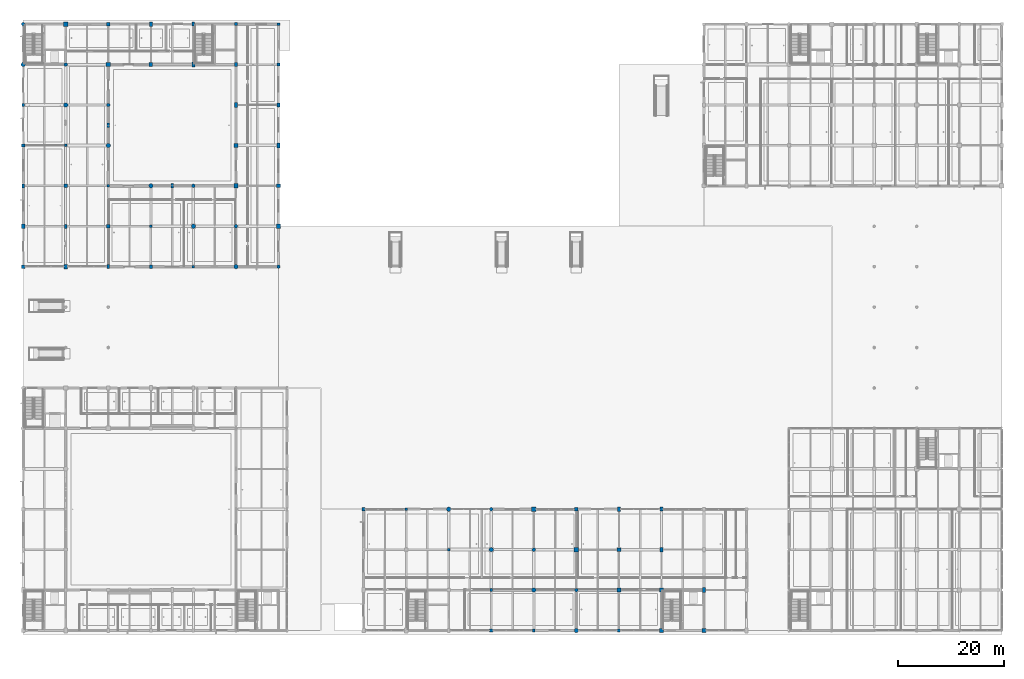
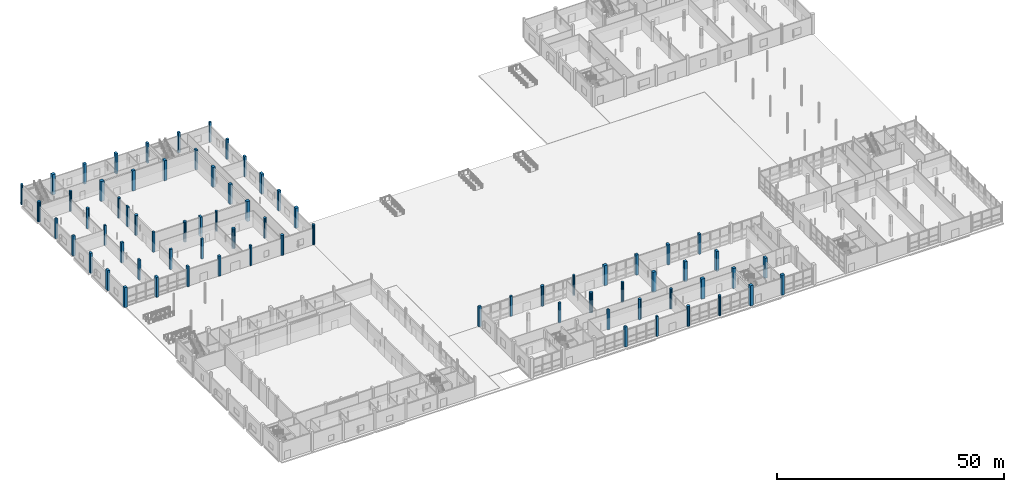
# One storey, part 5 of 126: 73 columns.
"""IFC4 building model written with IfcOpenShell, lengths in metres."""

from ifc_helpers import new_model, si_unit, direction, frame, origin, origin_2d, place, context, subcontext, project, spatial, rectangle, circle, extrude, material, material_profile, profile_set, type_object, element, save


model = new_model("IFC4")

# Units and contexts
model_context = context("Model", 3, precision=1e-05, world=origin(), true_north=direction((0.0, 1.0)))
body_context = subcontext(model_context, "Body", "Model", "MODEL_VIEW")
ifc_project = project(units=[si_unit("LENGTHUNIT", "METRE"), si_unit("AREAUNIT", "SQUARE_METRE"), si_unit("VOLUMEUNIT", "CUBIC_METRE"), si_unit("PLANEANGLEUNIT", "RADIAN"), si_unit("MASSUNIT", "GRAM", prefix="KILO")], contexts=[model_context])

# Site, building, storey
site_placement = place(None, origin())
site = spatial("IfcSite", under=ifc_project, at=site_placement, CompositionType="ELEMENT")
building_placement = place(site_placement, origin())
building = spatial("IfcBuilding", under=site, at=building_placement, Name="Khelvaren Railside Concert Hall", CompositionType="ELEMENT")
storey_placement = place(building_placement, origin())
storey = spatial("IfcBuildingStorey", under=building, at=storey_placement, Name="L00", CompositionType="ELEMENT", Elevation=0.0)

# Columns
ifc_material = material(Name="Concrete C45/55", Category="concrete")
ifc_material_profile_1 = material_profile(ifc_material, rectangle(XDim=0.60009765625, YDim=0.60009765625, at=origin_2d()), Name="RC 600x600")
ifc_profile_set_1 = profile_set([ifc_material_profile_1], Name="Concrete C45/55")
column_type_1 = type_object("IfcColumnType", Name="COL11", PredefinedType="COLUMN", material=ifc_profile_set_1)
for number, where, z_axis, x_axis, name in (
    (1, (64.0, 22.800048828125, 0.0), (0.0, 0.0, 1.0), (1.0, 0.0, 0.0), "V3 L00 Column (64.0,22.8)"),
    (2, (88.0, 0.0, 0.0), (0.0, 0.0, 1.0), (1.0, 0.0, 0.0), "V3 L00 Column (88.0,0.0)"),
    (3, (0.0, 91.199951171875, 0.0), (0.0, 0.0, 1.0), (1.0, 0.0, 0.0), "V4 L00 Column (0.0,91.2)"),
    (4, (24.0, 68.39990234375, 0.0), (0.0, 0.0, 1.0), (1.0, 0.0, 0.0), "V4 L00 Column (24.0,68.4)"),
    (5, (40.0, 114.0, 0.0), (0.0, 0.0, 1.0), (1.0, 0.0, 0.0), "V4 L00 Column (40.0,114.0)"),
    (6, (48.0, 106.39990234375, 0.0), (0.0, 0.0, 1.0), (1.0, 0.0, 0.0), "V4 L00 Column (48.0,106.4)"),
):
    element("IfcColumn", number, at=place(storey_placement, frame(where, z_axis=z_axis, x_axis=x_axis)), inside=storey, type_object=column_type_1, Name=name, PredefinedType="COLUMN", context=body_context, shape_type="SweptSolid", body=[
        extrude(rectangle(XDim=0.60009765625, YDim=0.60009765625, at=origin_2d()), origin(), (0.0, 0.0, 1.0), 5.39990234375),
    ])
ifc_material_profile_2 = material_profile(ifc_material, circle(Radius=0.39990234375, at=origin_2d()), Name="RC D800")
ifc_profile_set_2 = profile_set([ifc_material_profile_2], Name="Concrete C45/55")
column_type_2 = type_object("IfcColumnType", Name="COL14", PredefinedType="COLUMN", material=ifc_profile_set_2)
for number, where, z_axis, x_axis, name in (
    (7, (88.0, 15.199951171875, 0.0), (0.0, 0.0, 1.0), (1.0, 0.0, 0.0), "V3 L00 Column (88.0,15.2)"),
    (8, (96.0, 7.60009765625, 0.0), (0.0, 0.0, 1.0), (1.0, 0.0, 0.0), "V3 L00 Column (96.0,7.6)"),
    (9, (8.0, 98.800048828125, 0.0), (0.0, 0.0, 1.0), (1.0, 0.0, 0.0), "V4 L00 Column (8.0,98.8)"),
    (10, (16.0, 91.199951171875, 0.0), (0.0, 0.0, 1.0), (1.0, 0.0, 0.0), "V4 L00 Column (16.0,91.2)"),
    (11, (24.0, 83.60009765625, 0.0), (0.0, 0.0, 1.0), (1.0, 0.0, 0.0), "V4 L00 Column (24.0,83.6)"),
    (12, (32.0, 76.0, 0.0), (0.0, 0.0, 1.0), (1.0, 0.0, 0.0), "V4 L00 Column (32.0,76.0)"),
):
    element("IfcColumn", number, at=place(storey_placement, frame(where, z_axis=z_axis, x_axis=x_axis)), inside=storey, type_object=column_type_2, Name=name, PredefinedType="COLUMN", context=body_context, shape_type="SweptSolid", body=[
        extrude(circle(Radius=0.39990234375, at=origin_2d()), origin(), (0.0, 0.0, 1.0), 5.39990234375),
    ])
ifc_material_profile_3 = material_profile(ifc_material, rectangle(XDim=0.699951171875, YDim=0.699951171875, at=origin_2d()), Name="RC 700x700")
ifc_profile_set_3 = profile_set([ifc_material_profile_3], Name="Concrete C45/55")
column_type_3 = type_object("IfcColumnType", Name="COL16", PredefinedType="COLUMN", material=ifc_profile_set_3)
for number, where, z_axis, x_axis, name in (
    (13, (104.0, 22.800048828125, 0.0), (0.0, 0.0, 1.0), (1.0, 0.0, 0.0), "V3 L00 Column (104.0,22.8)"),
    (14, (128.0, 0.0, 0.0), (0.0, 0.0, 1.0), (1.0, 0.0, 0.0), "V3 L00 Column (128.0,0.0)"),
    (15, (0.0, 68.39990234375, 0.0), (0.0, 0.0, 1.0), (1.0, 0.0, 0.0), "V4 L00 Column (0.0,68.4)"),
    (16, (16.0, 114.0, 0.0), (0.0, 0.0, 1.0), (1.0, 0.0, 0.0), "V4 L00 Column (16.0,114.0)"),
    (17, (48.0, 83.60009765625, 0.0), (0.0, 0.0, 1.0), (1.0, 0.0, 0.0), "V4 L00 Column (48.0,83.6)"),
):
    element("IfcColumn", number, at=place(storey_placement, frame(where, z_axis=z_axis, x_axis=x_axis)), inside=storey, type_object=column_type_3, Name=name, PredefinedType="COLUMN", context=body_context, shape_type="SweptSolid", body=[
        extrude(rectangle(XDim=0.699951171875, YDim=0.699951171875, at=origin_2d()), origin(), (0.0, 0.0, 1.0), 5.39990234375),
    ])
ifc_material_profile_4 = material_profile(ifc_material, rectangle(XDim=0.800048828125, YDim=0.800048828125, at=origin_2d()), Name="RC 800x800")
ifc_profile_set_4 = profile_set([ifc_material_profile_4], Name="Concrete C45/55")
column_type_4 = type_object("IfcColumnType", Name="COL20", PredefinedType="COLUMN", material=ifc_profile_set_4)
for number, where, z_axis, x_axis, name in (
    (18, (104.0, 15.199951171875, 0.0), (0.0, 0.0, 1.0), (1.0, 0.0, 0.0), "V3 L00 Column (104.0,15.2)"),
    (19, (112.0, 7.60009765625, 0.0), (0.0, 0.0, 1.0), (1.0, 0.0, 0.0), "V3 L00 Column (112.0,7.6)"),
    (20, (16.0, 106.39990234375, 0.0), (0.0, 0.0, 1.0), (1.0, 0.0, 0.0), "V4 L00 Column (16.0,106.4)"),
    (21, (40.0, 83.60009765625, 0.0), (0.0, 0.0, 1.0), (1.0, 0.0, 0.0), "V4 L00 Column (40.0,83.6)"),
):
    element("IfcColumn", number, at=place(storey_placement, frame(where, z_axis=z_axis, x_axis=x_axis)), inside=storey, type_object=column_type_4, Name=name, PredefinedType="COLUMN", context=body_context, shape_type="SweptSolid", body=[
        extrude(rectangle(XDim=0.800048828125, YDim=0.800048828125, at=origin_2d()), origin(), (0.0, 0.0, 1.0), 5.39990234375),
    ])
ifc_material_profile_5 = material_profile(ifc_material, circle(Radius=0.39990234375, at=origin_2d()), Name="RC D800")
ifc_profile_set_5 = profile_set([ifc_material_profile_5], Name="Concrete C45/55")
column_type_5 = type_object("IfcColumnType", Name="COL22", PredefinedType="COLUMN", material=ifc_profile_set_5)
for number, where, z_axis, x_axis, name in (
    (22, (80.0, 22.800048828125, 0.0), (0.0, 0.0, 1.0), (1.0, 0.0, 0.0), "V3 L00 Column (80.0,22.8)"),
    (23, (104.0, 0.0, 0.0), (0.0, 0.0, 1.0), (1.0, 0.0, 0.0), "V3 L00 Column (104.0,0.0)"),
    (24, (0.0, 106.39990234375, 0.0), (0.0, 0.0, 1.0), (1.0, 0.0, 0.0), "V4 L00 Column (0.0,106.4)"),
    (25, (40.0, 68.39990234375, 0.0), (0.0, 0.0, 1.0), (1.0, 0.0, 0.0), "V4 L00 Column (40.0,68.4)"),
):
    element("IfcColumn", number, at=place(storey_placement, frame(where, z_axis=z_axis, x_axis=x_axis)), inside=storey, type_object=column_type_5, Name=name, PredefinedType="COLUMN", context=body_context, shape_type="SweptSolid", body=[
        extrude(circle(Radius=0.39990234375, at=origin_2d()), origin(), (0.0, 0.0, 1.0), 5.39990234375),
    ])
ifc_material_profile_6 = material_profile(ifc_material, rectangle(XDim=0.60009765625, YDim=0.60009765625, at=origin_2d()), Name="RC 600x600")
ifc_profile_set_6 = profile_set([ifc_material_profile_6], Name="Concrete C45/55")
column_type_6 = type_object("IfcColumnType", Name="COL29", PredefinedType="COLUMN", material=ifc_profile_set_6)
for number, where, z_axis, x_axis, name in (
    (26, (8.0, 83.60009765625, 0.0), (0.0, 0.0, 1.0), (1.0, 0.0, 0.0), "V4 L00 Column (8.0,83.6)"),
    (27, (16.0, 76.0, 0.0), (0.0, 0.0, 1.0), (1.0, 0.0, 0.0), "V4 L00 Column (16.0,76.0)"),
):
    element("IfcColumn", number, at=place(storey_placement, frame(where, z_axis=z_axis, x_axis=x_axis)), inside=storey, type_object=column_type_6, Name=name, PredefinedType="COLUMN", context=body_context, shape_type="SweptSolid", body=[
        extrude(rectangle(XDim=0.60009765625, YDim=0.60009765625, at=origin_2d()), origin(), (0.0, 0.0, 1.0), 5.39990234375),
    ])
ifc_material_profile_7 = material_profile(ifc_material, rectangle(XDim=0.60009765625, YDim=0.89990234375, at=origin_2d()), Name="RC 600x900")
ifc_profile_set_7 = profile_set([ifc_material_profile_7], Name="Concrete C45/55")
column_type_7 = type_object("IfcColumnType", Name="COL33", PredefinedType="COLUMN", material=ifc_profile_set_7)
for number, where, z_axis, x_axis, name in (
    (28, (120.0, 15.199951171875, 0.0), (0.0, 0.0, 1.0), (1.0, 0.0, 0.0), "V3 L00 Column (120.0,15.2)"),
    (29, (128.0, 7.60009765625, 0.0), (0.0, 0.0, 1.0), (1.0, 0.0, 0.0), "V3 L00 Column (128.0,7.6)"),
    (30, (32.0, 106.39990234375, 0.0), (0.0, 0.0, 1.0), (1.0, 0.0, 0.0), "V4 L00 Column (32.0,106.4)"),
    (31, (40.0, 98.800048828125, 0.0), (0.0, 0.0, 1.0), (1.0, 0.0, 0.0), "V4 L00 Column (40.0,98.8)"),
):
    element("IfcColumn", number, at=place(storey_placement, frame(where, z_axis=z_axis, x_axis=x_axis)), inside=storey, type_object=column_type_7, Name=name, PredefinedType="COLUMN", context=body_context, shape_type="SweptSolid", body=[
        extrude(rectangle(XDim=0.60009765625, YDim=0.89990234375, at=origin_2d()), origin(), (0.0, 0.0, 1.0), 5.39990234375),
    ])
ifc_material_profile_8 = material_profile(ifc_material, rectangle(XDim=0.5, YDim=0.5, at=origin_2d()), Name="RC 500x500")
ifc_profile_set_8 = profile_set([ifc_material_profile_8], Name="Concrete C45/55")
column_type_8 = type_object("IfcColumnType", Name="COL35", PredefinedType="COLUMN", material=ifc_profile_set_8)
for number, where, z_axis, x_axis, name in (
    (32, (72.0, 22.800048828125, 0.0), (0.0, 0.0, 1.0), (1.0, 0.0, 0.0), "V3 L00 Column (72.0,22.8)"),
    (33, (96.0, 0.0, 0.0), (0.0, 0.0, 1.0), (1.0, 0.0, 0.0), "V3 L00 Column (96.0,0.0)"),
    (34, (0.0, 98.800048828125, 0.0), (0.0, 0.0, 1.0), (1.0, 0.0, 0.0), "V4 L00 Column (0.0,98.8)"),
    (35, (32.0, 68.39990234375, 0.0), (0.0, 0.0, 1.0), (1.0, 0.0, 0.0), "V4 L00 Column (32.0,68.4)"),
    (36, (48.0, 114.0, 0.0), (0.0, 0.0, 1.0), (1.0, 0.0, 0.0), "V4 L00 Column (48.0,114.0)"),
):
    element("IfcColumn", number, at=place(storey_placement, frame(where, z_axis=z_axis, x_axis=x_axis)), inside=storey, type_object=column_type_8, Name=name, PredefinedType="COLUMN", context=body_context, shape_type="SweptSolid", body=[
        extrude(rectangle(XDim=0.5, YDim=0.5, at=origin_2d()), origin(), (0.0, 0.0, 1.0), 5.39990234375),
    ])
ifc_material_profile_9 = material_profile(ifc_material, rectangle(XDim=0.5, YDim=0.75, at=origin_2d()), Name="RC 500x750")
ifc_profile_set_9 = profile_set([ifc_material_profile_9], Name="Concrete C45/55")
column_type_9 = type_object("IfcColumnType", Name="COL36", PredefinedType="COLUMN", material=ifc_profile_set_9)
for number, where, z_axis, x_axis, name in (
    (37, (8.0, 76.0, 0.0), (0.0, 0.0, 1.0), (1.0, 0.0, 0.0), "V4 L00 Column (8.0,76.0)"),
    (38, (40.0, 106.39990234375, 0.0), (0.0, 0.0, 1.0), (1.0, 0.0, 0.0), "V4 L00 Column (40.0,106.4)"),
):
    element("IfcColumn", number, at=place(storey_placement, frame(where, z_axis=z_axis, x_axis=x_axis)), inside=storey, type_object=column_type_9, Name=name, PredefinedType="COLUMN", context=body_context, shape_type="SweptSolid", body=[
        extrude(rectangle(XDim=0.5, YDim=0.75, at=origin_2d()), origin(), (0.0, 0.0, 1.0), 5.39990234375),
    ])
ifc_material_profile_10 = material_profile(ifc_material, rectangle(XDim=0.800048828125, YDim=0.800048828125, at=origin_2d()), Name="RC 800x800")
ifc_profile_set_10 = profile_set([ifc_material_profile_10], Name="Concrete C45/55")
column_type_10 = type_object("IfcColumnType", Name="COL38", PredefinedType="COLUMN", material=ifc_profile_set_10)
for number, where, z_axis, x_axis, name in (
    (39, (96.0, 22.800048828125, 0.0), (0.0, 0.0, 1.0), (1.0, 0.0, 0.0), "V3 L00 Column (96.0,22.8)"),
    (40, (120.0, 0.0, 0.0), (0.0, 0.0, 1.0), (1.0, 0.0, 0.0), "V3 L00 Column (120.0,0.0)"),
    (41, (8.0, 114.0, 0.0), (0.0, 0.0, 1.0), (1.0, 0.0, 0.0), "V4 L00 Column (8.0,114.0)"),
    (42, (48.0, 76.0, 0.0), (0.0, 0.0, 1.0), (1.0, 0.0, 0.0), "V4 L00 Column (48.0,76.0)"),
):
    element("IfcColumn", number, at=place(storey_placement, frame(where, z_axis=z_axis, x_axis=x_axis)), inside=storey, type_object=column_type_10, Name=name, PredefinedType="COLUMN", context=body_context, shape_type="SweptSolid", body=[
        extrude(rectangle(XDim=0.800048828125, YDim=0.800048828125, at=origin_2d()), origin(), (0.0, 0.0, 1.0), 5.39990234375),
    ])
ifc_material_profile_11 = material_profile(ifc_material, circle(Radius=0.324951171875, at=origin_2d()), Name="RC D650")
ifc_profile_set_11 = profile_set([ifc_material_profile_11], Name="Concrete C45/55")
column_type_11 = type_object("IfcColumnType", Name="COL53", PredefinedType="COLUMN", material=ifc_profile_set_11)
for number, where, z_axis, x_axis, name in (
    (43, (88.0, 22.800048828125, 0.0), (0.0, 0.0, 1.0), (1.0, 0.0, 0.0), "V3 L00 Column (88.0,22.8)"),
    (44, (112.0, 0.0, 0.0), (0.0, 0.0, 1.0), (1.0, 0.0, 0.0), "V3 L00 Column (112.0,0.0)"),
    (45, (0.0, 114.0, 0.0), (0.0, 0.0, 1.0), (1.0, 0.0, 0.0), "V4 L00 Column (0.0,114.0)"),
    (46, (48.0, 68.39990234375, 0.0), (0.0, 0.0, 1.0), (1.0, 0.0, 0.0), "V4 L00 Column (48.0,68.4)"),
):
    element("IfcColumn", number, at=place(storey_placement, frame(where, z_axis=z_axis, x_axis=x_axis)), inside=storey, type_object=column_type_11, Name=name, PredefinedType="COLUMN", context=body_context, shape_type="SweptSolid", body=[
        extrude(circle(Radius=0.324951171875, at=origin_2d()), origin(), (0.0, 0.0, 1.0), 5.39990234375),
    ])
ifc_material_profile_12 = material_profile(ifc_material, rectangle(XDim=0.699951171875, YDim=0.699951171875, at=origin_2d()), Name="RC 700x700")
ifc_profile_set_12 = profile_set([ifc_material_profile_12], Name="Concrete C45/55")
column_type_12 = type_object("IfcColumnType", Name="COL74", PredefinedType="COLUMN", material=ifc_profile_set_12)
for number, where, z_axis, x_axis, name in (
    (47, (112.0, 15.199951171875, 0.0), (0.0, 0.0, 1.0), (1.0, 0.0, 0.0), "V3 L00 Column (112.0,15.2)"),
    (48, (120.0, 7.60009765625, 0.0), (0.0, 0.0, 1.0), (1.0, 0.0, 0.0), "V3 L00 Column (120.0,7.6)"),
    (49, (24.0, 106.39990234375, 0.0), (0.0, 0.0, 1.0), (1.0, 0.0, 0.0), "V4 L00 Column (24.0,106.4)"),
    (50, (40.0, 91.199951171875, 0.0), (0.0, 0.0, 1.0), (1.0, 0.0, 0.0), "V4 L00 Column (40.0,91.2)"),
):
    element("IfcColumn", number, at=place(storey_placement, frame(where, z_axis=z_axis, x_axis=x_axis)), inside=storey, type_object=column_type_12, Name=name, PredefinedType="COLUMN", context=body_context, shape_type="SweptSolid", body=[
        extrude(rectangle(XDim=0.699951171875, YDim=0.699951171875, at=origin_2d()), origin(), (0.0, 0.0, 1.0), 5.39990234375),
    ])
ifc_material_profile_13 = material_profile(ifc_material, rectangle(XDim=0.5, YDim=0.5, at=origin_2d()), Name="RC 500x500")
ifc_profile_set_13 = profile_set([ifc_material_profile_13], Name="Concrete C45/55")
column_type_13 = type_object("IfcColumnType", Name="COL84", PredefinedType="COLUMN", material=ifc_profile_set_13)
for number, where, z_axis, x_axis, name in (
    (51, (80.0, 15.199951171875, 0.0), (0.0, 0.0, 1.0), (1.0, 0.0, 0.0), "V3 L00 Column (80.0,15.2)"),
    (52, (88.0, 7.60009765625, 0.0), (0.0, 0.0, 1.0), (1.0, 0.0, 0.0), "V3 L00 Column (88.0,7.6)"),
    (53, (8.0, 91.199951171875, 0.0), (0.0, 0.0, 1.0), (1.0, 0.0, 0.0), "V4 L00 Column (8.0,91.2)"),
    (54, (16.0, 83.60009765625, 0.0), (0.0, 0.0, 1.0), (1.0, 0.0, 0.0), "V4 L00 Column (16.0,83.6)"),
    (55, (24.0, 76.0, 0.0), (0.0, 0.0, 1.0), (1.0, 0.0, 0.0), "V4 L00 Column (24.0,76.0)"),
):
    element("IfcColumn", number, at=place(storey_placement, frame(where, z_axis=z_axis, x_axis=x_axis)), inside=storey, type_object=column_type_13, Name=name, PredefinedType="COLUMN", context=body_context, shape_type="SweptSolid", body=[
        extrude(rectangle(XDim=0.5, YDim=0.5, at=origin_2d()), origin(), (0.0, 0.0, 1.0), 5.39990234375),
    ])
ifc_material_profile_14 = material_profile(ifc_material, circle(Radius=0.324951171875, at=origin_2d()), Name="RC D650")
ifc_profile_set_14 = profile_set([ifc_material_profile_14], Name="Concrete C45/55")
column_type_14 = type_object("IfcColumnType", Name="COL94", PredefinedType="COLUMN", material=ifc_profile_set_14)
for number, where, z_axis, x_axis, name in (
    (56, (96.0, 15.199951171875, 0.0), (0.0, 0.0, 1.0), (1.0, 0.0, 0.0), "V3 L00 Column (96.0,15.2)"),
    (57, (104.0, 7.60009765625, 0.0), (0.0, 0.0, 1.0), (1.0, 0.0, 0.0), "V3 L00 Column (104.0,7.6)"),
    (58, (8.0, 106.39990234375, 0.0), (0.0, 0.0, 1.0), (1.0, 0.0, 0.0), "V4 L00 Column (8.0,106.4)"),
    (59, (16.0, 98.800048828125, 0.0), (0.0, 0.0, 1.0), (1.0, 0.0, 0.0), "V4 L00 Column (16.0,98.8)"),
    (60, (32.0, 83.60009765625, 0.0), (0.0, 0.0, 1.0), (1.0, 0.0, 0.0), "V4 L00 Column (32.0,83.6)"),
    (61, (40.0, 76.0, 0.0), (0.0, 0.0, 1.0), (1.0, 0.0, 0.0), "V4 L00 Column (40.0,76.0)"),
):
    element("IfcColumn", number, at=place(storey_placement, frame(where, z_axis=z_axis, x_axis=x_axis)), inside=storey, type_object=column_type_14, Name=name, PredefinedType="COLUMN", context=body_context, shape_type="SweptSolid", body=[
        extrude(circle(Radius=0.324951171875, at=origin_2d()), origin(), (0.0, 0.0, 1.0), 5.39990234375),
    ])
ifc_material_profile_15 = material_profile(ifc_material, rectangle(XDim=0.60009765625, YDim=0.89990234375, at=origin_2d()), Name="RC 600x900")
ifc_profile_set_15 = profile_set([ifc_material_profile_15], Name="Concrete C45/55")
column_type_15 = type_object("IfcColumnType", Name="COL95", PredefinedType="COLUMN", material=ifc_profile_set_15)
for number, where, z_axis, x_axis, name in (
    (62, (112.0, 22.800048828125, 0.0), (0.0, 0.0, 1.0), (1.0, 0.0, 0.0), "V3 L00 Column (112.0,22.8)"),
    (63, (0.0, 76.0, 0.0), (0.0, 0.0, 1.0), (1.0, 0.0, 0.0), "V4 L00 Column (0.0,76.0)"),
    (64, (8.0, 68.39990234375, 0.0), (0.0, 0.0, 1.0), (1.0, 0.0, 0.0), "V4 L00 Column (8.0,68.4)"),
    (65, (24.0, 114.0, 0.0), (0.0, 0.0, 1.0), (1.0, 0.0, 0.0), "V4 L00 Column (24.0,114.0)"),
    (66, (48.0, 91.199951171875, 0.0), (0.0, 0.0, 1.0), (1.0, 0.0, 0.0), "V4 L00 Column (48.0,91.2)"),
):
    element("IfcColumn", number, at=place(storey_placement, frame(where, z_axis=z_axis, x_axis=x_axis)), inside=storey, type_object=column_type_15, Name=name, PredefinedType="COLUMN", context=body_context, shape_type="SweptSolid", body=[
        extrude(rectangle(XDim=0.60009765625, YDim=0.89990234375, at=origin_2d()), origin(), (0.0, 0.0, 1.0), 5.39990234375),
    ])
ifc_material_profile_16 = material_profile(ifc_material, rectangle(XDim=0.5, YDim=0.75, at=origin_2d()), Name="RC 500x750")
ifc_profile_set_16 = profile_set([ifc_material_profile_16], Name="Concrete C45/55")
column_type_16 = type_object("IfcColumnType", Name="COL97", PredefinedType="COLUMN", material=ifc_profile_set_16)
for number, where, z_axis, x_axis, name in (
    (67, (120.0, 22.800048828125, 0.0), (0.0, 0.0, 1.0), (1.0, 0.0, 0.0), "V3 L00 Column (120.0,22.8)"),
    (68, (0.0, 83.60009765625, 0.0), (0.0, 0.0, 1.0), (1.0, 0.0, 0.0), "V4 L00 Column (0.0,83.6)"),
    (69, (16.0, 68.39990234375, 0.0), (0.0, 0.0, 1.0), (1.0, 0.0, 0.0), "V4 L00 Column (16.0,68.4)"),
    (70, (32.0, 114.0, 0.0), (0.0, 0.0, 1.0), (1.0, 0.0, 0.0), "V4 L00 Column (32.0,114.0)"),
    (71, (48.0, 98.800048828125, 0.0), (0.0, 0.0, 1.0), (1.0, 0.0, 0.0), "V4 L00 Column (48.0,98.8)"),
):
    element("IfcColumn", number, at=place(storey_placement, frame(where, z_axis=z_axis, x_axis=x_axis)), inside=storey, type_object=column_type_16, Name=name, PredefinedType="COLUMN", context=body_context, shape_type="SweptSolid", body=[
        extrude(rectangle(XDim=0.5, YDim=0.75, at=origin_2d()), origin(), (0.0, 0.0, 1.0), 5.39990234375),
    ])
ifc_material_profile_17 = material_profile(ifc_material, rectangle(XDim=0.5, YDim=0.89990234375, at=origin_2d()), Name="PIL 500x900")
ifc_profile_set_17 = profile_set([ifc_material_profile_17], Name="Concrete C45/55")
column_type_17 = type_object("IfcColumnType", Name="PIL31", PredefinedType="PILASTER", material=ifc_profile_set_17)
column_1_placement = place(storey_placement, frame((28.0, 83.60009765625, 0.0), z_axis=(0.0, 0.0, 1.0), x_axis=(1.0, 0.0, 0.0)))
element("IfcColumn", 72, at=column_1_placement, inside=storey, type_object=column_type_17, Name="Acoustic Buttress Pilaster 12", PredefinedType="PILASTER", context=body_context, shape_type="SweptSolid", body=[
    extrude(rectangle(XDim=0.5, YDim=0.89990234375, at=origin_2d()), origin(), (0.0, 0.0, 1.0), 5.39990234375),
])
ifc_material_profile_18 = material_profile(ifc_material, rectangle(XDim=0.449951171875, YDim=0.800048828125, at=origin_2d()), Name="PIL 450x800")
ifc_profile_set_18 = profile_set([ifc_material_profile_18], Name="Concrete C45/55")
column_type_18 = type_object("IfcColumnType", Name="PIL63", PredefinedType="PILASTER", material=ifc_profile_set_18)
column_2_placement = place(storey_placement, frame((16.0, 95.0, 0.0), z_axis=(0.0, 0.0, 1.0), x_axis=(1.0, 0.0, 0.0)))
element("IfcColumn", 73, at=column_2_placement, inside=storey, type_object=column_type_18, Name="Acoustic Buttress Pilaster 11", PredefinedType="PILASTER", context=body_context, shape_type="SweptSolid", body=[
    extrude(rectangle(XDim=0.449951171875, YDim=0.800048828125, at=origin_2d()), origin(), (0.0, 0.0, 1.0), 5.39990234375),
])

save(model, "model.ifc")
